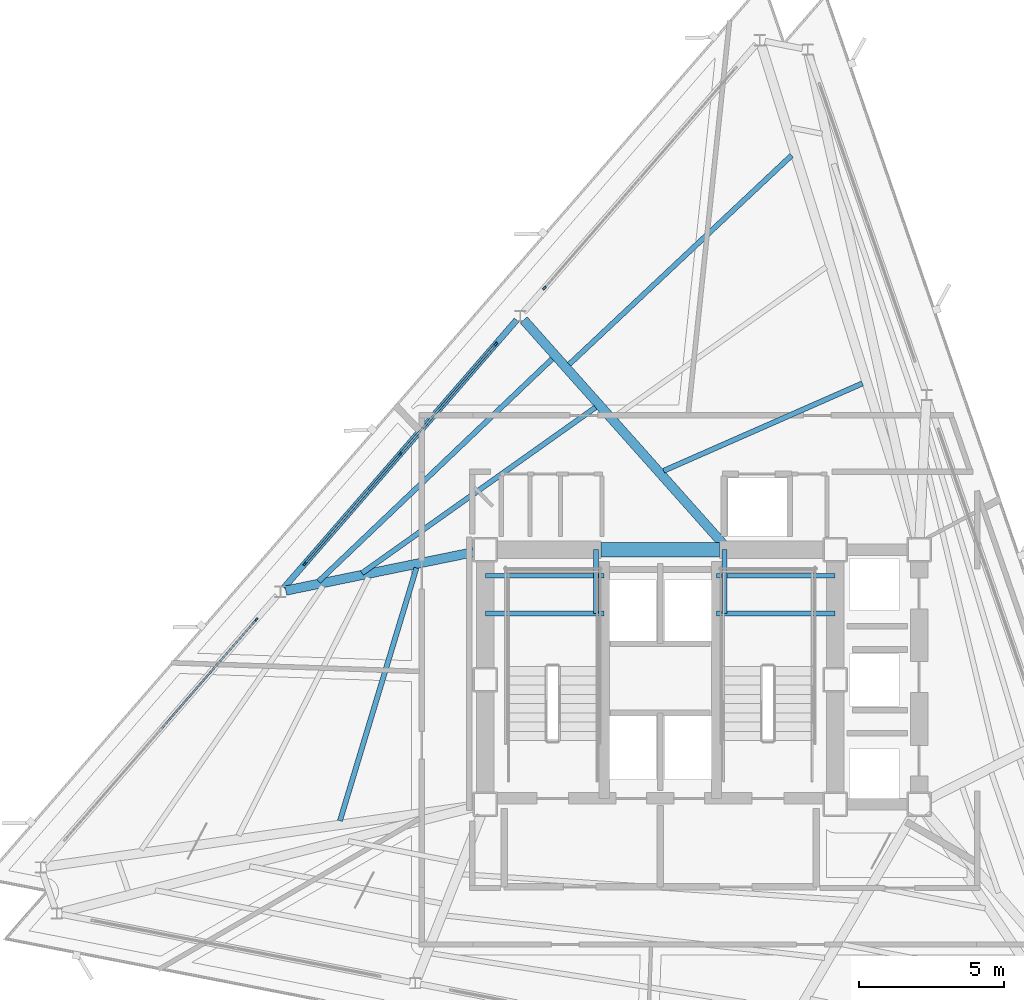
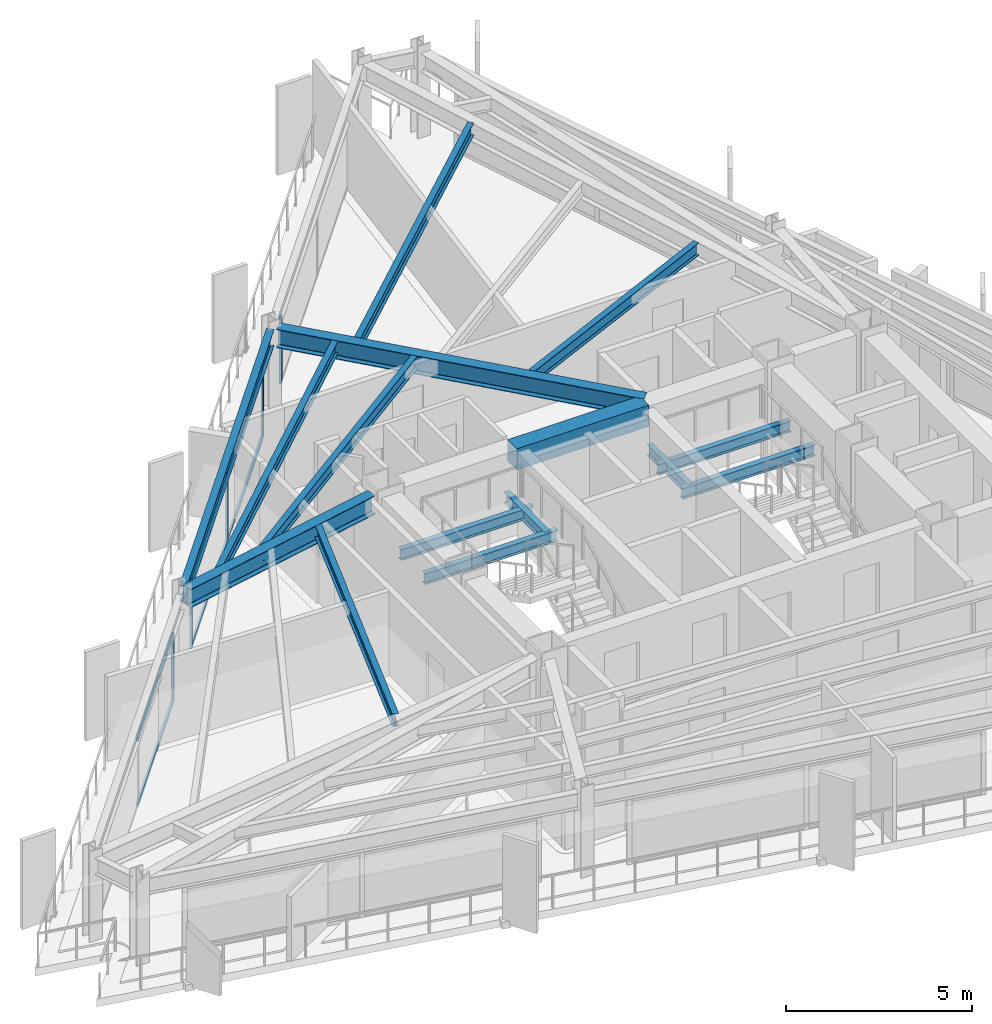
# One storey, part 4 of 13: 15 beams, 11 members, 3 elements without a shape of their own.
"""IFC4 building model written with IfcOpenShell, lengths in metres."""

from ifc_helpers import new_model, si_unit, direction, frame, origin, origin_2d, place, context, subcontext, project, spatial, rectangle, i_section, extrude, material, layer, layer_set, material_profile, profile_set, type_object, element, aggregate, save


model = new_model("IFC4")

# Units and contexts
model_context = context("Model", 3, precision=1e-05, world=origin(), true_north=direction((0.0, 1.0)))
body_context = subcontext(model_context, "Body", "Model", "MODEL_VIEW")
ifc_project = project(units=[si_unit("LENGTHUNIT", "METRE"), si_unit("AREAUNIT", "SQUARE_METRE"), si_unit("VOLUMEUNIT", "CUBIC_METRE"), si_unit("PLANEANGLEUNIT", "RADIAN"), si_unit("MASSUNIT", "GRAM", prefix="KILO")], contexts=[model_context])

# Site, building, storey
site_placement = place(None, origin())
site = spatial("IfcSite", under=ifc_project, at=site_placement, CompositionType="ELEMENT")
building_placement = place(site_placement, origin())
building = spatial("IfcBuilding", under=site, at=building_placement, Name="Rocaltana Carrier Exchange", CompositionType="ELEMENT")
storey_placement = place(building_placement, frame((0.0, 0.0, 165.43994140625)))
storey = spatial("IfcBuildingStorey", under=building, at=storey_placement, Name="L52", CompositionType="ELEMENT", Elevation=165.43994140625)

# Curtain wall, member
ifc_material_1 = material(Name="Aluminium 6063-T6", Category="aluminium")
ifc_layer = layer(ifc_material_1, 0.135009765625)
ifc_layer_set = layer_set([ifc_layer], Name="Aluminium 6063-T6")
curtain_wall_type = type_object("IfcCurtainWallType", Name="Upper-Mid Acoustic Curtain Wall CW-04", PredefinedType="NOTDEFINED", material=ifc_layer_set)
curtain_wall_1_placement = place(storey_placement, origin())
curtain_wall_1 = element("IfcCurtainWall", 1, at=curtain_wall_1_placement, inside=storey, type_object=curtain_wall_type, Name="L52 CW-04 Run CW-L52-F2S1", PredefinedType="NOTDEFINED")
ifc_material_2 = material(Name="Aluminium 6063-T6", Category="aluminium")
ifc_material_profile_1 = material_profile(ifc_material_2, rectangle(XDim=0.06494140625, YDim=0.135009765625, at=origin_2d()), Name="AL-65X135")
ifc_profile_set_1 = profile_set([ifc_material_profile_1], Name="Aluminium 6063-T6")
member_type_1 = type_object("IfcMemberType", Name="CW-04 Mullion AL-65X135", PredefinedType="MULLION", material=ifc_profile_set_1)
member_1_placement = place(storey_placement, frame((-4.005859375, 13.55126953125, 0.0), z_axis=(0.0, 0.0, 1.0), x_axis=(0.75471173919, -0.656056545375, 0.0)))
member_1 = element("IfcMember", 2, at=member_1_placement, type_object=member_type_1, Name="CW-04 mullion 3", PredefinedType="MULLION", context=body_context, shape_type="SweptSolid", body=[
    extrude(rectangle(XDim=0.06494140625, YDim=0.135009765625, at=origin_2d()), origin(), (0.0, 0.0, 1.0), 2.218017578125),
])
aggregate(curtain_wall_1, [member_1])

# Curtain wall, members
curtain_wall_2_placement = place(storey_placement, origin())
curtain_wall_2 = element("IfcCurtainWall", 3, at=curtain_wall_2_placement, inside=storey, type_object=curtain_wall_type, Name="L52 CW-04 Run CW-L52-F2S2", PredefinedType="NOTDEFINED")
member_2_placement = place(storey_placement, frame((-5.688720703125, 11.615478515625, 0.0), z_axis=(0.0, 0.0, 1.0), x_axis=(0.75471173919, -0.656056545375, 0.0)))
member_2 = element("IfcMember", 4, at=member_2_placement, type_object=member_type_1, Name="CW-04 mullion 1", PredefinedType="MULLION", context=body_context, shape_type="SweptSolid", body=[
    extrude(rectangle(XDim=0.06494140625, YDim=0.135009765625, at=origin_2d()), origin(), (0.0, 0.0, 1.0), 2.218017578125),
])
member_3_placement = place(storey_placement, frame((-8.9912109375, 7.816162109375, 0.0), z_axis=(0.0, 0.0, 1.0), x_axis=(0.75471173919, -0.656056545375, 0.0)))
member_3 = element("IfcMember", 5, at=member_3_placement, type_object=member_type_1, Name="CW-04 mullion 2", PredefinedType="MULLION", context=body_context, shape_type="SweptSolid", body=[
    extrude(rectangle(XDim=0.06494140625, YDim=0.135009765625, at=origin_2d()), origin(), (0.0, 0.0, 1.0), 2.218017578125),
])
member_4_placement = place(storey_placement, frame((-12.2939453125, 4.016845703125, 0.0), z_axis=(0.0, 0.0, 1.0), x_axis=(0.75471173919, -0.656056545375, 0.0)))
member_4 = element("IfcMember", 6, at=member_4_placement, type_object=member_type_1, Name="CW-04 mullion 3", PredefinedType="MULLION", context=body_context, shape_type="SweptSolid", body=[
    extrude(rectangle(XDim=0.06494140625, YDim=0.135009765625, at=origin_2d()), origin(), (0.0, 0.0, 1.0), 2.218017578125),
])

# Curtain wall, member
curtain_wall_3_placement = place(storey_placement, origin())
curtain_wall_3 = element("IfcCurtainWall", 7, at=curtain_wall_3_placement, inside=storey, type_object=curtain_wall_type, Name="L52 CW-04 Run CW-L52-F2S3", PredefinedType="NOTDEFINED")
member_5_placement = place(storey_placement, frame((-13.976806640625, 2.080810546875, 0.0), z_axis=(0.0, 0.0, 1.0), x_axis=(0.75471173919, -0.656056545375, 0.0)))
member_5 = element("IfcMember", 8, at=member_5_placement, type_object=member_type_1, Name="CW-04 mullion 1", PredefinedType="MULLION", context=body_context, shape_type="SweptSolid", body=[
    extrude(rectangle(XDim=0.06494140625, YDim=0.135009765625, at=origin_2d()), origin(), (0.0, 0.0, 1.0), 2.218017578125),
])

# Member
ifc_material_3 = material(Name="Aluminium 6063-T6", Category="aluminium")
ifc_material_profile_2 = material_profile(ifc_material_3, rectangle(XDim=0.06494140625, YDim=0.135009765625, at=origin_2d()), Name="AL-65X135")
ifc_profile_set_2 = profile_set([ifc_material_profile_2], Name="Aluminium 6063-T6")
member_type_2 = type_object("IfcMemberType", Name="CW-04 Transom AL-65X135", PredefinedType="USERDEFINED", material=ifc_profile_set_2)
member_6_placement = place(storey_placement, frame((-5.7099609375, 11.5908203125, 0.032470703125), z_axis=(-0.656055850486, -0.754712343243, 0.0), x_axis=(0.754712343243, -0.656055850486, 0.0)))
member_6 = element("IfcMember", 9, at=member_6_placement, type_object=member_type_2, Name="CW-04 transom 1.1", ObjectType="TRANSOM", PredefinedType="USERDEFINED", context=body_context, shape_type="SweptSolid", body=[
    extrude(rectangle(XDim=0.06494140625, YDim=0.135009765625, at=origin_2d()), origin(), (0.0, 0.0, 1.0), 4.968994140625),
])

member_7_placement = place(storey_placement, frame((-5.7099609375, 11.5908203125, 2.185546875), z_axis=(-0.656055850486, -0.754712343243, 0.0), x_axis=(0.754712343243, -0.656055850486, 0.0)))
member_7 = element("IfcMember", 10, at=member_7_placement, type_object=member_type_2, Name="CW-04 transom 1.2", ObjectType="TRANSOM", PredefinedType="USERDEFINED", context=body_context, shape_type="SweptSolid", body=[
    extrude(rectangle(XDim=0.06494140625, YDim=0.135009765625, at=origin_2d()), origin(), (0.0, 0.0, 1.0), 4.968994140625),
])

member_8_placement = place(storey_placement, frame((-9.0126953125, 7.79150390625, 0.032470703125), z_axis=(-0.656055850486, -0.754712343243, 0.0), x_axis=(0.754712343243, -0.656055850486, 0.0)))
member_8 = element("IfcMember", 11, at=member_8_placement, type_object=member_type_2, Name="CW-04 transom 2.1", ObjectType="TRANSOM", PredefinedType="USERDEFINED", context=body_context, shape_type="SweptSolid", body=[
    extrude(rectangle(XDim=0.06494140625, YDim=0.135009765625, at=origin_2d()), origin(), (0.0, 0.0, 1.0), 4.968994140625),
])

member_9_placement = place(storey_placement, frame((-9.0126953125, 7.79150390625, 2.185546875), z_axis=(-0.656055850486, -0.754712343243, 0.0), x_axis=(0.754712343243, -0.656055850486, 0.0)))
member_9 = element("IfcMember", 12, at=member_9_placement, type_object=member_type_2, Name="CW-04 transom 2.2", ObjectType="TRANSOM", PredefinedType="USERDEFINED", context=body_context, shape_type="SweptSolid", body=[
    extrude(rectangle(XDim=0.06494140625, YDim=0.135009765625, at=origin_2d()), origin(), (0.0, 0.0, 1.0), 4.968994140625),
])

aggregate(curtain_wall_2, [member_2, member_3, member_4, member_6, member_7, member_8, member_9])

member_10_placement = place(storey_placement, frame((-13.998046875, 2.056396484375, 0.032470703125), z_axis=(-0.656055850486, -0.754712343243, 0.0), x_axis=(0.754712343243, -0.656055850486, 0.0)))
member_10 = element("IfcMember", 13, at=member_10_placement, type_object=member_type_2, Name="CW-04 transom 1.1", ObjectType="TRANSOM", PredefinedType="USERDEFINED", context=body_context, shape_type="SweptSolid", body=[
    extrude(rectangle(XDim=0.06494140625, YDim=0.135009765625, at=origin_2d()), origin(), (0.0, 0.0, 1.0), 4.968994140625),
])

member_11_placement = place(storey_placement, frame((-13.998046875, 2.056396484375, 2.185546875), z_axis=(-0.656055850486, -0.754712343243, 0.0), x_axis=(0.754712343243, -0.656055850486, 0.0)))
member_11 = element("IfcMember", 14, at=member_11_placement, type_object=member_type_2, Name="CW-04 transom 1.2", ObjectType="TRANSOM", PredefinedType="USERDEFINED", context=body_context, shape_type="SweptSolid", body=[
    extrude(rectangle(XDim=0.06494140625, YDim=0.135009765625, at=origin_2d()), origin(), (0.0, 0.0, 1.0), 4.968994140625),
])

aggregate(curtain_wall_3, [member_5, member_10, member_11])

# Beams
ifc_material_4 = material(Name="Concrete C60/75", Category="concrete")
ifc_material_profile_3 = material_profile(ifc_material_4, rectangle(XDim=0.5, YDim=0.699951171875, at=origin_2d()), Name="RC-BM-500X700")
ifc_profile_set_3 = profile_set([ifc_material_profile_3], Name="Concrete C60/75")
beam_type_1 = type_object("IfcBeamType", Name="Core Coupling Lintel 500x700", PredefinedType="LINTEL", material=ifc_profile_set_3)
beam_1_placement = place(storey_placement, frame((-2.050048828125, 4.5, 2.43798828125), z_axis=(1.0, 0.0, 0.0), x_axis=(0.0, 1.0, 0.0)))
element("IfcBeam", 15, at=beam_1_placement, inside=storey, type_object=beam_type_1, Name="L52 Core Coupling Lintel CL-N", PredefinedType="LINTEL", context=body_context, shape_type="SweptSolid", body=[
    extrude(rectangle(XDim=0.5, YDim=0.699951171875, at=origin_2d()), origin(), (0.0, 0.0, 1.0), 4.10009765625),
])
ifc_material_5 = material(Name="Steel S355", Category="steel")
ifc_material_profile_4 = material_profile(ifc_material_5, i_section(OverallWidth=0.172119140625, OverallDepth=0.35791015625, WebThickness=0.0078125, FlangeThickness=0.01318359375, FilletRadius=0.011962890625, at=origin_2d()), Name="W14X38")
ifc_profile_set_4 = profile_set([ifc_material_profile_4], Name="Steel S355")
beam_type_2 = type_object("IfcBeamType", Name="Floor Joist W14X38", PredefinedType="JOIST", material=ifc_profile_set_4)
for number, where, z_axis, x_axis, name in (
    (16, (-6.050048828125, 2.300048828125, 1.14111328125), (1.0, 0.0, 0.0), (0.0, 1.0, 0.0), "L52 ST-1 Landing Carrier 1"),
    (17, (1.93994140625, 2.300048828125, 1.14111328125), (1.0, 0.0, 0.0), (0.0, 1.0, 0.0), "L52 ST-2 Landing Carrier 1"),
    (18, (-6.050048828125, 3.60009765625, 1.14111328125), (1.0, 0.0, 0.0), (0.0, 1.0, 0.0), "L52 ST-1 Landing Carrier 2"),
    (19, (1.93994140625, 3.60009765625, 1.14111328125), (1.0, 0.0, 0.0), (0.0, 1.0, 0.0), "L52 ST-2 Landing Carrier 2"),
):
    element("IfcBeam", number, at=place(storey_placement, frame(where, z_axis=z_axis, x_axis=x_axis)), inside=storey, type_object=beam_type_2, Name=name, PredefinedType="JOIST", context=body_context, shape_type="SweptSolid", body=[
        extrude(i_section(OverallWidth=0.172119140625, OverallDepth=0.35791015625, WebThickness=0.0078125, FlangeThickness=0.01318359375, FilletRadius=0.011962890625, at=origin_2d()), origin(), (0.0, 0.0, 1.0), 4.110107421875),
    ])
for number, where, z_axis, x_axis, name in (
    (20, (-2.219970703125, 2.300048828125, 1.14111328125), (0.0, 1.0, 0.0), (-1.0, 0.0, 0.0), "L52 ST-1 Landing Cross Trimmer"),
    (21, (2.219970703125, 2.300048828125, 1.14111328125), (0.0, 1.0, 0.0), (-1.0, 0.0, 0.0), "L52 ST-2 Landing Cross Trimmer"),
):
    element("IfcBeam", number, at=place(storey_placement, frame(where, z_axis=z_axis, x_axis=x_axis)), inside=storey, type_object=beam_type_2, Name=name, PredefinedType="JOIST", context=body_context, shape_type="SweptSolid", body=[
        extrude(i_section(OverallWidth=0.172119140625, OverallDepth=0.35791015625, WebThickness=0.0078125, FlangeThickness=0.01318359375, FilletRadius=0.011962890625, at=origin_2d()), origin(), (0.0, 0.0, 1.0), 2.199951171875),
    ])
ifc_material_6 = material(Name="Steel S355", Category="steel")
ifc_material_profile_5 = material_profile(ifc_material_6, i_section(OverallWidth=0.179931640625, OverallDepth=0.4130859375, WebThickness=0.009765625, FlangeThickness=0.01611328125, FilletRadius=0.012939453125, at=origin_2d()), Name="W16X50")
ifc_profile_set_5 = profile_set([ifc_material_profile_5], Name="Steel S355")
beam_type_3 = type_object("IfcBeamType", Name="Floor Joist W16X50", PredefinedType="JOIST", material=ifc_profile_set_5)
beam_2_placement = place(storey_placement, frame((6.9892578125, 10.251220703125, 2.58154296875), z_axis=(-0.915437763767, -0.402459564018, 0.0), x_axis=(0.402459564018, -0.915437763767, 0.0)))
element("IfcBeam", 22, at=beam_2_placement, inside=storey, type_object=beam_type_3, Name="FJ-L52-05-1", PredefinedType="JOIST", context=body_context, shape_type="SweptSolid", body=[
    extrude(i_section(OverallWidth=0.179931640625, OverallDepth=0.4130859375, WebThickness=0.009765625, FlangeThickness=0.01611328125, FilletRadius=0.012939453125, at=origin_2d()), origin(), (0.0, 0.0, 1.0), 7.50634765625),
])
beam_3_placement = place(storey_placement, frame((4.539306640625, 18.135009765625, 2.58154296875), z_axis=(-0.728861369792, -0.684661305774, 0.0), x_axis=(0.684661305774, -0.728861369792, 0.0)))
element("IfcBeam", 23, at=beam_3_placement, inside=storey, type_object=beam_type_3, Name="FJ-L52-05-3", PredefinedType="JOIST", context=body_context, shape_type="SweptSolid", body=[
    extrude(i_section(OverallWidth=0.179931640625, OverallDepth=0.4130859375, WebThickness=0.009765625, FlangeThickness=0.01611328125, FilletRadius=0.012939453125, at=origin_2d()), origin(), (0.0, 0.0, 1.0), 10.550048828125),
])
beam_4_placement = place(storey_placement, frame((-2.239501953125, 9.42138671875, 2.58154296875), z_axis=(-0.815531916739, -0.578712098353, 0.0), x_axis=(0.578712098353, -0.815531916739, 0.0)))
element("IfcBeam", 24, at=beam_4_placement, inside=storey, type_object=beam_type_3, Name="FJ-L52-06-2", PredefinedType="JOIST", context=body_context, shape_type="SweptSolid", body=[
    extrude(i_section(OverallWidth=0.179931640625, OverallDepth=0.4130859375, WebThickness=0.009765625, FlangeThickness=0.01611328125, FilletRadius=0.012939453125, at=origin_2d()), origin(), (0.0, 0.0, 1.0), 9.90283203125),
])
beam_5_placement = place(storey_placement, frame((-3.736572265625, 11.1015625, 2.58154296875), z_axis=(-0.724047932372, -0.689749658665, 0.0), x_axis=(0.689749658665, -0.724047932372, 0.0)))
element("IfcBeam", 25, at=beam_5_placement, inside=storey, type_object=beam_type_3, Name="FJ-L52-06-3", PredefinedType="JOIST", context=body_context, shape_type="SweptSolid", body=[
    extrude(i_section(OverallWidth=0.179931640625, OverallDepth=0.4130859375, WebThickness=0.009765625, FlangeThickness=0.01611328125, FilletRadius=0.012939453125, at=origin_2d()), origin(), (0.0, 0.0, 1.0), 11.161376953125),
])
beam_6_placement = place(storey_placement, frame((-8.433349609375, 3.871826171875, 2.58154296875), z_axis=(-0.289517060533, -0.957172853596, 0.0), x_axis=(0.957172853596, -0.289517060533, 0.0)))
element("IfcBeam", 26, at=beam_6_placement, inside=storey, type_object=beam_type_3, Name="FJ-L52-07-1", PredefinedType="JOIST", context=body_context, shape_type="SweptSolid", body=[
    extrude(i_section(OverallWidth=0.179931640625, OverallDepth=0.4130859375, WebThickness=0.009765625, FlangeThickness=0.01611328125, FilletRadius=0.012939453125, at=origin_2d()), origin(), (0.0, 0.0, 1.0), 9.135009765625),
])
ifc_material_7 = material(Name="Steel S355", Category="steel")
ifc_material_profile_6 = material_profile(ifc_material_7, i_section(OverallWidth=0.323974609375, OverallDepth=0.611083984375, WebThickness=0.0126953125, FlangeThickness=0.01904296875, FilletRadius=0.01611328125, at=origin_2d()), Name="W24X104")
ifc_profile_set_6 = profile_set([ifc_material_profile_6], Name="Steel S355")
beam_type_4 = type_object("IfcBeamType", Name="Radial Girder W24X104", PredefinedType="BEAM", material=ifc_profile_set_6)
beam_7_placement = place(storey_placement, frame((2.189208984375, 4.6806640625, 2.482666015625), z_axis=(-0.664987485629, 0.746854499857, 0.0), x_axis=(-0.746854499857, -0.664987485629, 0.0)))
element("IfcBeam", 27, at=beam_7_placement, inside=storey, type_object=beam_type_4, Name="RG-L52-06", PredefinedType="BEAM", context=body_context, shape_type="SweptSolid", body=[
    extrude(i_section(OverallWidth=0.323974609375, OverallDepth=0.611083984375, WebThickness=0.0126953125, FlangeThickness=0.01904296875, FilletRadius=0.01611328125, at=origin_2d()), origin(), (0.0, 0.0, 1.0), 10.395751953125),
])
beam_8_placement = place(storey_placement, frame((-6.45849609375, 4.416259765625, 2.482666015625), z_axis=(-0.979662319108, -0.200653284349, 0.0), x_axis=(0.200653284349, -0.979662319108, 0.0)))
element("IfcBeam", 28, at=beam_8_placement, inside=storey, type_object=beam_type_4, Name="RG-L52-07", PredefinedType="BEAM", context=body_context, shape_type="SweptSolid", body=[
    extrude(i_section(OverallWidth=0.323974609375, OverallDepth=0.611083984375, WebThickness=0.0126953125, FlangeThickness=0.01904296875, FilletRadius=0.01611328125, at=origin_2d()), origin(), (0.0, 0.0, 1.0), 6.6298828125),
])
ifc_material_8 = material(Name="Steel S355", Category="steel")
ifc_material_profile_7 = material_profile(ifc_material_8, i_section(OverallWidth=0.2119140625, OverallDepth=0.5439453125, WebThickness=0.01318359375, FlangeThickness=0.021240234375, FilletRadius=0.014892578125, at=origin_2d()), Name="W21X83")
ifc_profile_set_7 = profile_set([ifc_material_profile_7], Name="Steel S355")
beam_type_5 = type_object("IfcBeamType", Name="Spandrel Edge Beam W21X83", PredefinedType="SPANDREL", material=ifc_profile_set_7)
beam_9_placement = place(storey_placement, frame((-4.968994140625, 12.443359375, 2.51611328125), z_axis=(-0.656047094668, -0.754719954405, 0.0), x_axis=(0.754719954405, -0.656047094668, 0.0)))
element("IfcBeam", 29, at=beam_9_placement, inside=storey, type_object=beam_type_5, Name="SP-L52-06", PredefinedType="SPANDREL", context=body_context, shape_type="SweptSolid", body=[
    extrude(i_section(OverallWidth=0.2119140625, OverallDepth=0.5439453125, WebThickness=0.01318359375, FlangeThickness=0.021240234375, FilletRadius=0.014892578125, at=origin_2d()), origin(), (0.0, 0.0, 1.0), 12.262451171875),
])

save(model, "model.ifc")
